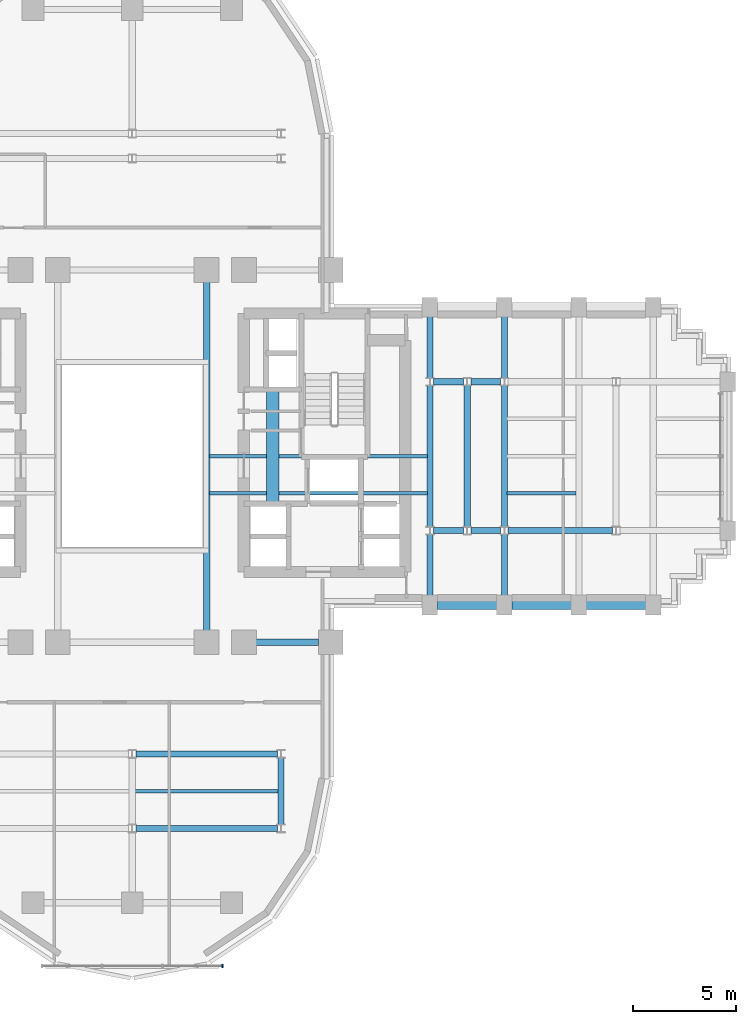
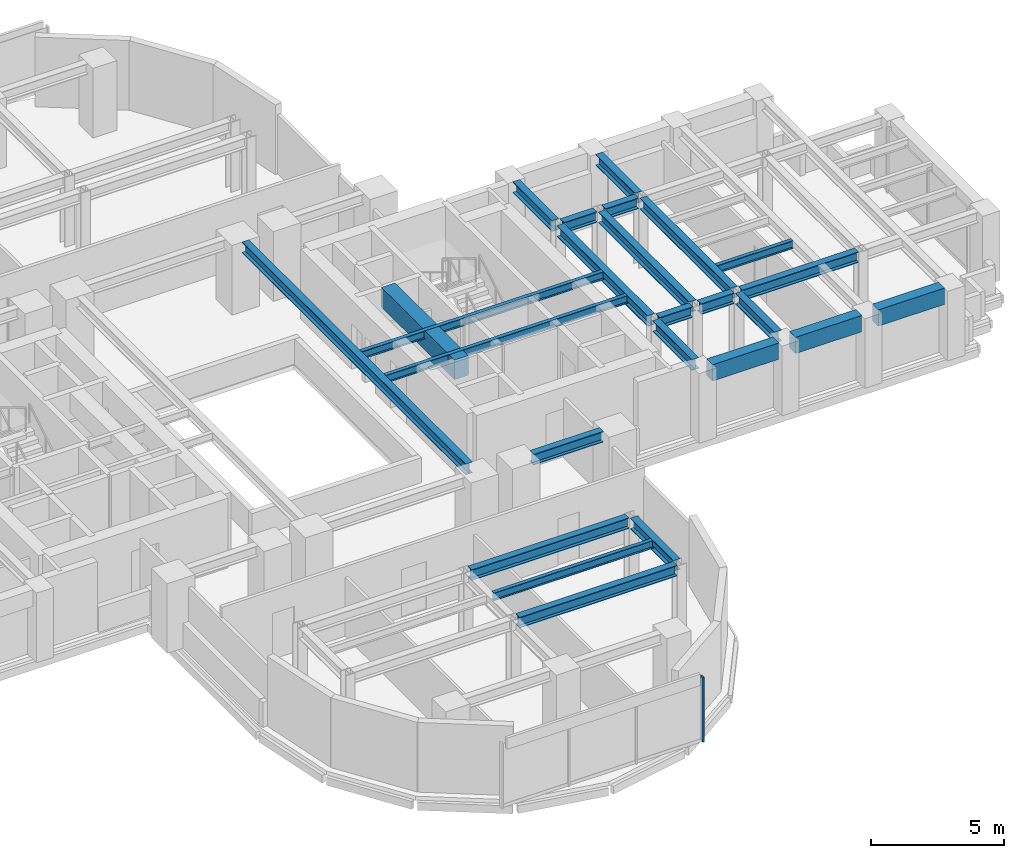
# One storey, part 5 of 16: 25 beams, 1 member, 1 element without a shape of its own.
"""IFC4 building model written with IfcOpenShell, lengths in metres."""

from ifc_helpers import new_model, si_unit, direction, frame, origin, origin_2d, place, context, subcontext, project, spatial, rectangle, i_section, extrude, source, transform, mapped, material, material_profile, profile_set, type_object, element, aggregate, save


model = new_model("IFC4")

# Units and contexts
model_context = context("Model", 3, precision=1e-05, world=origin(), true_north=direction((0.0, 1.0)))
body_context = subcontext(model_context, "Body", "Model", "MODEL_VIEW")
ifc_project = project(units=[si_unit("LENGTHUNIT", "METRE"), si_unit("AREAUNIT", "SQUARE_METRE"), si_unit("VOLUMEUNIT", "CUBIC_METRE"), si_unit("PLANEANGLEUNIT", "RADIAN"), si_unit("MASSUNIT", "GRAM", prefix="KILO")], contexts=[model_context])

# Site, building, storey
site_placement = place(None, origin())
site = spatial("IfcSite", under=ifc_project, at=site_placement, CompositionType="ELEMENT")
building_placement = place(site_placement, origin())
building = spatial("IfcBuilding", under=site, at=building_placement, Name="Keilestroom Media Tower", CompositionType="ELEMENT")
storey_placement = place(building_placement, frame((0.0, 0.0, 54.39990234375)))
storey = spatial("IfcBuildingStorey", under=building, at=storey_placement, Name="L13", CompositionType="ELEMENT", Elevation=54.39990234375)

# Beams
ifc_material_1 = material(Name="Concrete C70/85", Category="concrete")
ifc_material_profile_1 = material_profile(ifc_material_1, rectangle(XDim=0.60009765625, YDim=0.89990234375, at=origin_2d()), Name="RC 600x900")
ifc_profile_set_1 = profile_set([ifc_material_profile_1], Name="Concrete C70/85")
beam_type_1 = type_object("IfcBeamType", Name="Core-Coupling-Lintel-Beam-RC-600x900", PredefinedType="LINTEL", material=ifc_profile_set_1)
shared_shape_1 = source(origin(), body_context, "Body", "SweptSolid", [
    extrude(rectangle(XDim=0.60009765625, YDim=0.89990234375, at=origin_2d()), origin(), (0.0, 0.0, 1.0), 5.52001953125),
])
beam_1_placement = place(storey_placement, frame((6.800048828125, -2.300048828125, 2.75), z_axis=(0.0, 1.0, 0.0), x_axis=(-1.0, 0.0, 0.0)))
element("IfcBeam", 1, at=beam_1_placement, inside=storey, type_object=beam_type_1, Name="L13 Beam CLB-1 CLB-L13-E", PredefinedType="LINTEL", context=body_context, shape_type="MappedRepresentation", body=[
    mapped(shared_shape_1, transform((0.0, 0.0, 0.0), x_axis=(1.0, 0.0, 0.0), y_axis=(0.0, 1.0, 0.0), z_axis=(0.0, 0.0, 1.0), scale=1.0)),
])
ifc_material_2 = material(Name="Precast concrete C40/50", Category="concrete")
ifc_material_profile_2 = material_profile(ifc_material_2, rectangle(XDim=0.449951171875, YDim=0.75, at=origin_2d()), Name="PC 450x750")
ifc_profile_set_2 = profile_set([ifc_material_profile_2], Name="Precast concrete C40/50")
beam_type_2 = type_object("IfcBeamType", Name="Perimeter-Spandrel-Beam-PC-450x750", PredefinedType="SPANDREL", material=ifc_profile_set_2)
shared_shape_2 = source(origin(), body_context, "Body", "SweptSolid", [
    extrude(rectangle(XDim=0.449951171875, YDim=0.75, at=origin_2d()), origin(), (0.0, 0.0, 1.0), 2.889892578125),
])
beam_2_placement = place(storey_placement, frame((21.955078125, -7.199951171875, 2.8251953125), z_axis=(1.0, 0.0, 0.0), x_axis=(0.0, 1.0, 0.0)))
element("IfcBeam", 2, at=beam_2_placement, inside=storey, type_object=beam_type_2, Name="L13 Beam SPB-1 BM-L13-EW-017", PredefinedType="SPANDREL", context=body_context, shape_type="MappedRepresentation", body=[
    mapped(shared_shape_2, transform((0.0, 0.0, 0.0), x_axis=(1.0, 0.0, 0.0), y_axis=(0.0, 1.0, 0.0), z_axis=(0.0, 0.0, 1.0), scale=1.0)),
])
shared_shape_3 = source(origin(), body_context, "Body", "SweptSolid", [
    extrude(rectangle(XDim=0.449951171875, YDim=0.75, at=origin_2d()), origin(), (0.0, 0.0, 1.0), 2.89013671875),
])
for number, where, z_axis, x_axis, name in (
    (3, (14.7548828125, -7.199951171875, 2.8251953125), (1.0, 0.0, 0.0), (0.0, 1.0, 0.0), "L13 Beam SPB-1 BM-L13-EW-015"),
    (4, (18.35498046875, -7.199951171875, 2.8251953125), (1.0, 0.0, 0.0), (0.0, 1.0, 0.0), "L13 Beam SPB-1 BM-L13-EW-016"),
):
    element("IfcBeam", number, at=place(storey_placement, frame(where, z_axis=z_axis, x_axis=x_axis)), inside=storey, type_object=beam_type_2, Name=name, PredefinedType="SPANDREL", context=body_context, shape_type="MappedRepresentation", body=[
        mapped(shared_shape_3, transform((0.0, 0.0, 0.0), x_axis=(1.0, 0.0, 0.0), y_axis=(0.0, 1.0, 0.0), z_axis=(0.0, 0.0, 1.0), scale=1.0)),
    ])
ifc_material_3 = material(Name="Steel S355", Category="steel")
ifc_material_profile_3 = material_profile(ifc_material_3, i_section(OverallWidth=0.300048828125, OverallDepth=0.5, WebThickness=0.012451171875, FlangeThickness=0.028076171875, at=origin_2d()), Name="HEB 500")
ifc_profile_set_3 = profile_set([ifc_material_profile_3], Name="Steel S355")
beam_type_3 = type_object("IfcBeamType", Name="Primary-Structural-Girder-HEB-500", PredefinedType="BEAM", material=ifc_profile_set_3)
shared_shape_4 = source(origin(), body_context, "Body", "SweptSolid", [
    extrude(i_section(OverallWidth=0.300048828125, OverallDepth=0.5, WebThickness=0.012451171875, FlangeThickness=0.028076171875, at=origin_2d()), origin(), (0.0, 0.0, 1.0), 6.8330078125),
])
for number, where, z_axis, x_axis, name in (
    (5, (14.39990234375, -3.41650390625, 2.9501953125), (0.0, 1.0, 0.0), (-1.0, 0.0, 0.0), "L13 Beam BG-6 BM-L13-NS-077"),
    (6, (16.199951171875, -3.41650390625, 2.9501953125), (0.0, 1.0, 0.0), (-1.0, 0.0, 0.0), "L13 Beam BG-6 BM-L13-NS-079"),
    (7, (18.0, -3.41650390625, 2.9501953125), (0.0, 1.0, 0.0), (-1.0, 0.0, 0.0), "L13 Beam BG-6 BM-L13-NS-081"),
):
    element("IfcBeam", number, at=place(storey_placement, frame(where, z_axis=z_axis, x_axis=x_axis)), inside=storey, type_object=beam_type_3, Name=name, PredefinedType="BEAM", context=body_context, shape_type="MappedRepresentation", body=[
        mapped(shared_shape_4, transform((0.0, 0.0, 0.0), x_axis=(1.0, 0.0, 0.0), y_axis=(0.0, 1.0, 0.0), z_axis=(0.0, 0.0, 1.0), scale=1.0)),
    ])
shared_shape_5 = source(origin(), body_context, "Body", "SweptSolid", [
    extrude(i_section(OverallWidth=0.300048828125, OverallDepth=0.5, WebThickness=0.012451171875, FlangeThickness=0.028076171875, at=origin_2d()), origin(), (0.0, 0.0, 1.0), 2.961669921875),
])
for number, where, z_axis, x_axis, name in (
    (8, (14.39990234375, -6.7451171875, 2.9501953125), (0.0, 1.0, 0.0), (-1.0, 0.0, 0.0), "L13 Beam BG-6 BM-L13-NS-076"),
    (9, (14.39990234375, 3.783447265625, 2.9501953125), (0.0, 1.0, 0.0), (-1.0, 0.0, 0.0), "L13 Beam BG-6 BM-L13-NS-078"),
    (10, (18.0, -6.7451171875, 2.9501953125), (0.0, 1.0, 0.0), (-1.0, 0.0, 0.0), "L13 Beam BG-6 BM-L13-NS-080"),
    (11, (18.0, 3.783447265625, 2.9501953125), (0.0, 1.0, 0.0), (-1.0, 0.0, 0.0), "L13 Beam BG-6 BM-L13-NS-082"),
):
    element("IfcBeam", number, at=place(storey_placement, frame(where, z_axis=z_axis, x_axis=x_axis)), inside=storey, type_object=beam_type_3, Name=name, PredefinedType="BEAM", context=body_context, shape_type="MappedRepresentation", body=[
        mapped(shared_shape_5, transform((0.0, 0.0, 0.0), x_axis=(1.0, 0.0, 0.0), y_axis=(0.0, 1.0, 0.0), z_axis=(0.0, 0.0, 1.0), scale=1.0)),
    ])
shared_shape_6 = source(origin(), body_context, "Body", "SweptSolid", [
    extrude(i_section(OverallWidth=0.300048828125, OverallDepth=0.5, WebThickness=0.012451171875, FlangeThickness=0.028076171875, at=origin_2d()), origin(), (0.0, 0.0, 1.0), 3.23291015625),
])
beam_3_placement = place(storey_placement, frame((7.199951171875, -17.81640625, 2.9501953125), z_axis=(0.0, 1.0, 0.0), x_axis=(-1.0, 0.0, 0.0)))
element("IfcBeam", 12, at=beam_3_placement, inside=storey, type_object=beam_type_3, Name="L13 Beam BG-6 BM-L13-NS-073", PredefinedType="BEAM", context=body_context, shape_type="MappedRepresentation", body=[
    mapped(shared_shape_6, transform((0.0, 0.0, 0.0), x_axis=(1.0, 0.0, 0.0), y_axis=(0.0, 1.0, 0.0), z_axis=(0.0, 0.0, 1.0), scale=1.0)),
])
shared_shape_7 = source(origin(), body_context, "Body", "SweptSolid", [
    extrude(i_section(OverallWidth=0.300048828125, OverallDepth=0.5, WebThickness=0.012451171875, FlangeThickness=0.028076171875, at=origin_2d()), origin(), (0.0, 0.0, 1.0), 16.83984375),
])
beam_4_placement = place(storey_placement, frame((3.60009765625, -8.419921875, 2.9501953125), z_axis=(0.0, 1.0, 0.0), x_axis=(-1.0, 0.0, 0.0)))
element("IfcBeam", 13, at=beam_4_placement, inside=storey, type_object=beam_type_3, Name="L13 Beam BG-6 BM-L13-NS-071", PredefinedType="BEAM", context=body_context, shape_type="MappedRepresentation", body=[
    mapped(shared_shape_7, transform((0.0, 0.0, 0.0), x_axis=(1.0, 0.0, 0.0), y_axis=(0.0, 1.0, 0.0), z_axis=(0.0, 0.0, 1.0), scale=1.0)),
])
ifc_material_profile_4 = material_profile(ifc_material_3, i_section(OverallWidth=0.300048828125, OverallDepth=0.489990234375, WebThickness=0.011962890625, FlangeThickness=0.02294921875, at=origin_2d()), Name="HEA 500")
ifc_profile_set_4 = profile_set([ifc_material_profile_4], Name="Steel S355")
beam_type_4 = type_object("IfcBeamType", Name="Primary-Structural-Girder-HEA-500", PredefinedType="BEAM", material=ifc_profile_set_4)
shared_shape_8 = source(origin(), body_context, "Body", "SweptSolid", [
    extrude(i_section(OverallWidth=0.300048828125, OverallDepth=0.489990234375, WebThickness=0.011962890625, FlangeThickness=0.02294921875, at=origin_2d()), origin(), (0.0, 0.0, 1.0), 6.836181640625),
])
for number, where, z_axis, x_axis, name in (
    (14, (0.181884765625, -18.0, 2.955078125), (1.0, 0.0, 0.0), (0.0, 1.0, 0.0), "L13 Beam BG-10 BM-L13-EW-004"),
    (15, (0.181884765625, -14.39990234375, 2.955078125), (1.0, 0.0, 0.0), (0.0, 1.0, 0.0), "L13 Beam BG-10 BM-L13-EW-006"),
):
    element("IfcBeam", number, at=place(storey_placement, frame(where, z_axis=z_axis, x_axis=x_axis)), inside=storey, type_object=beam_type_4, Name=name, PredefinedType="BEAM", context=body_context, shape_type="MappedRepresentation", body=[
        mapped(shared_shape_8, transform((0.0, 0.0, 0.0), x_axis=(1.0, 0.0, 0.0), y_axis=(0.0, 1.0, 0.0), z_axis=(0.0, 0.0, 1.0), scale=1.0)),
    ])
shared_shape_9 = source(origin(), body_context, "Body", "SweptSolid", [
    extrude(i_section(OverallWidth=0.300048828125, OverallDepth=0.489990234375, WebThickness=0.011962890625, FlangeThickness=0.02294921875, at=origin_2d()), origin(), (0.0, 0.0, 1.0), 3.0400390625),
])
beam_5_placement = place(storey_placement, frame((5.97998046875, -9.0, 2.955078125), z_axis=(1.0, 0.0, 0.0), x_axis=(0.0, 1.0, 0.0)))
element("IfcBeam", 16, at=beam_5_placement, inside=storey, type_object=beam_type_4, Name="L13 Beam BG-10 BM-L13-EW-011", PredefinedType="BEAM", context=body_context, shape_type="MappedRepresentation", body=[
    mapped(shared_shape_9, transform((0.0, 0.0, 0.0), x_axis=(1.0, 0.0, 0.0), y_axis=(0.0, 1.0, 0.0), z_axis=(0.0, 0.0, 1.0), scale=1.0)),
])
shared_shape_10 = source(origin(), body_context, "Body", "SweptSolid", [
    extrude(i_section(OverallWidth=0.300048828125, OverallDepth=0.489990234375, WebThickness=0.011962890625, FlangeThickness=0.02294921875, at=origin_2d()), origin(), (0.0, 0.0, 1.0), 5.0361328125),
])
beam_6_placement = place(storey_placement, frame((18.181884765625, -3.60009765625, 2.955078125), z_axis=(1.0, 0.0, 0.0), x_axis=(0.0, 1.0, 0.0)))
element("IfcBeam", 17, at=beam_6_placement, inside=storey, type_object=beam_type_4, Name="L13 Beam BG-10 BM-L13-EW-024", PredefinedType="BEAM", context=body_context, shape_type="MappedRepresentation", body=[
    mapped(shared_shape_10, transform((0.0, 0.0, 0.0), x_axis=(1.0, 0.0, 0.0), y_axis=(0.0, 1.0, 0.0), z_axis=(0.0, 0.0, 1.0), scale=1.0)),
])
shared_shape_11 = source(origin(), body_context, "Body", "SweptSolid", [
    extrude(i_section(OverallWidth=0.300048828125, OverallDepth=0.489990234375, WebThickness=0.011962890625, FlangeThickness=0.02294921875, at=origin_2d()), origin(), (0.0, 0.0, 1.0), 1.43603515625),
])
for number, where, z_axis, x_axis, name in (
    (18, (14.58203125, -3.60009765625, 2.955078125), (1.0, 0.0, 0.0), (0.0, 1.0, 0.0), "L13 Beam BG-10 BM-L13-EW-022"),
    (19, (16.382080078125, -3.60009765625, 2.955078125), (1.0, 0.0, 0.0), (0.0, 1.0, 0.0), "L13 Beam BG-10 BM-L13-EW-023"),
    (20, (14.58203125, 3.60009765625, 2.955078125), (1.0, 0.0, 0.0), (0.0, 1.0, 0.0), "L13 Beam BG-10 BM-L13-EW-030"),
    (21, (16.382080078125, 3.60009765625, 2.955078125), (1.0, 0.0, 0.0), (0.0, 1.0, 0.0), "L13 Beam BG-10 BM-L13-EW-031"),
):
    element("IfcBeam", number, at=place(storey_placement, frame(where, z_axis=z_axis, x_axis=x_axis)), inside=storey, type_object=beam_type_4, Name=name, PredefinedType="BEAM", context=body_context, shape_type="MappedRepresentation", body=[
        mapped(shared_shape_11, transform((0.0, 0.0, 0.0), x_axis=(1.0, 0.0, 0.0), y_axis=(0.0, 1.0, 0.0), z_axis=(0.0, 0.0, 1.0), scale=1.0)),
    ])
ifc_material_profile_5 = material_profile(ifc_material_3, i_section(OverallWidth=0.169921875, OverallDepth=0.360107421875, WebThickness=0.008056640625, FlangeThickness=0.0126953125, at=origin_2d()), Name="IPE 360")
ifc_profile_set_5 = profile_set([ifc_material_profile_5], Name="Steel S355")
beam_type_5 = type_object("IfcBeamType", Name="Secondary-Floor-Joist-IPE-360", PredefinedType="JOIST", material=ifc_profile_set_5)
shared_shape_12 = source(origin(), body_context, "Body", "SweptSolid", [
    extrude(i_section(OverallWidth=0.169921875, OverallDepth=0.360107421875, WebThickness=0.008056640625, FlangeThickness=0.0126953125, at=origin_2d()), origin(), (0.0, 0.0, 1.0), 6.940185546875),
])
beam_7_placement = place(storey_placement, frame((0.1298828125, -16.199951171875, 3.02001953125), z_axis=(1.0, 0.0, 0.0), x_axis=(0.0, 1.0, 0.0)))
element("IfcBeam", 22, at=beam_7_placement, inside=storey, type_object=beam_type_5, Name="L13 Beam BJ-5 JST-L13-088", PredefinedType="JOIST", context=body_context, shape_type="MappedRepresentation", body=[
    mapped(shared_shape_12, transform((0.0, 0.0, 0.0), x_axis=(1.0, 0.0, 0.0), y_axis=(0.0, 1.0, 0.0), z_axis=(0.0, 0.0, 1.0), scale=1.0)),
])
shared_shape_13 = source(origin(), body_context, "Body", "SweptSolid", [
    extrude(i_section(OverallWidth=0.169921875, OverallDepth=0.360107421875, WebThickness=0.008056640625, FlangeThickness=0.0126953125, at=origin_2d()), origin(), (0.0, 0.0, 1.0), 3.340087890625),
])
beam_8_placement = place(storey_placement, frame((18.1298828125, -1.800048828125, 3.02001953125), z_axis=(1.0, 0.0, 0.0), x_axis=(0.0, 1.0, 0.0)))
element("IfcBeam", 23, at=beam_8_placement, inside=storey, type_object=beam_type_5, Name="L13 Beam BJ-5 JST-L13-094", PredefinedType="JOIST", context=body_context, shape_type="MappedRepresentation", body=[
    mapped(shared_shape_13, transform((0.0, 0.0, 0.0), x_axis=(1.0, 0.0, 0.0), y_axis=(0.0, 1.0, 0.0), z_axis=(0.0, 0.0, 1.0), scale=1.0)),
])
shared_shape_14 = source(origin(), body_context, "Body", "SweptSolid", [
    extrude(i_section(OverallWidth=0.169921875, OverallDepth=0.360107421875, WebThickness=0.008056640625, FlangeThickness=0.0126953125, at=origin_2d()), origin(), (0.0, 0.0, 1.0), 10.5400390625),
])
for number, where, z_axis, x_axis, name in (
    (24, (3.72998046875, -1.800048828125, 3.02001953125), (1.0, 0.0, 0.0), (0.0, 1.0, 0.0), "L13 Beam BJ-5 JST-L13-093"),
    (25, (3.72998046875, 0.0, 3.02001953125), (1.0, 0.0, 0.0), (0.0, 1.0, 0.0), "L13 Beam BJ-5 JST-L13-100"),
):
    element("IfcBeam", number, at=place(storey_placement, frame(where, z_axis=z_axis, x_axis=x_axis)), inside=storey, type_object=beam_type_5, Name=name, PredefinedType="JOIST", context=body_context, shape_type="MappedRepresentation", body=[
        mapped(shared_shape_14, transform((0.0, 0.0, 0.0), x_axis=(1.0, 0.0, 0.0), y_axis=(0.0, 1.0, 0.0), z_axis=(0.0, 0.0, 1.0), scale=1.0)),
    ])

# Curtain wall, member
ifc_material_4 = material(Name="Anodised Aluminium Alloy", Category="aluminium")
curtain_wall_type = type_object("IfcCurtainWallType", Name="Unitised-Curtain-Wall-CW-6", PredefinedType="NOTDEFINED", material=ifc_material_4)
curtain_wall_placement = place(storey_placement, origin())
curtain_wall = element("IfcCurtainWall", 26, at=curtain_wall_placement, inside=storey, type_object=curtain_wall_type, Name="L13 Curtain Wall CW-6 CW-L13-LS-1", PredefinedType="NOTDEFINED")
ifc_material_profile_6 = material_profile(ifc_material_4, rectangle(XDim=0.06494140625, YDim=0.179931640625, at=origin_2d()), Name="ALU MULLION 65x180")
ifc_profile_set_6 = profile_set([ifc_material_profile_6], Name="Anodised Aluminium Alloy")
member_type = type_object("IfcMemberType", Name="Curtain-Wall-Mullion-CW-6", PredefinedType="MULLION", material=ifc_profile_set_6)
shared_shape_15 = source(origin(), body_context, "Body", "SweptSolid", [
    extrude(rectangle(XDim=0.06494140625, YDim=0.179931640625, at=origin_2d()), origin(), (0.0, 0.0, 1.0), 2.97998046875),
])
member_placement = place(storey_placement, frame((4.367431640625, -24.64990234375, 0.0), z_axis=(0.0, 0.0, 1.0), x_axis=(1.0, 0.0, 0.0)))
member = element("IfcMember", 27, at=member_placement, type_object=member_type, Name="CW-6 Mullion 03", PredefinedType="MULLION", context=body_context, shape_type="MappedRepresentation", body=[
    mapped(shared_shape_15, transform((0.0, 0.0, 0.0), x_axis=(1.0, 0.0, 0.0), y_axis=(0.0, 1.0, 0.0), z_axis=(0.0, 0.0, 1.0), scale=1.0)),
])
aggregate(curtain_wall, [member])

save(model, "model.ifc")
